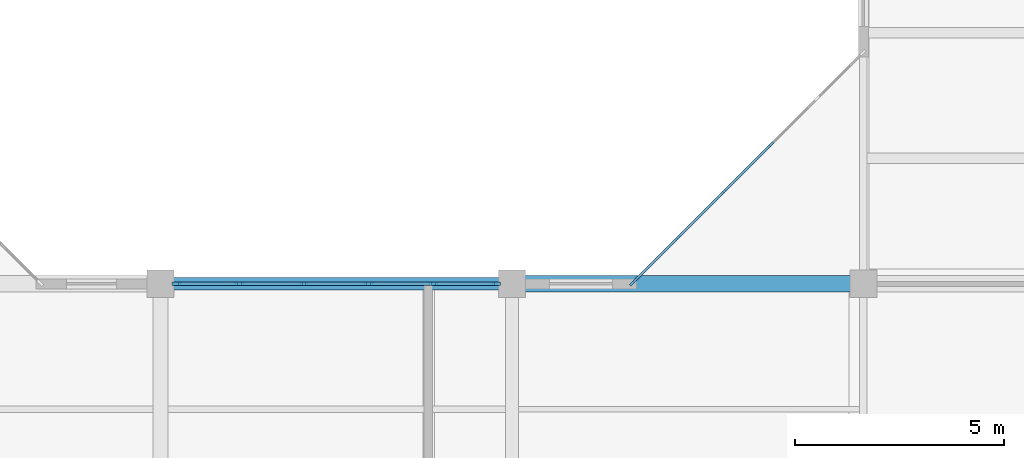
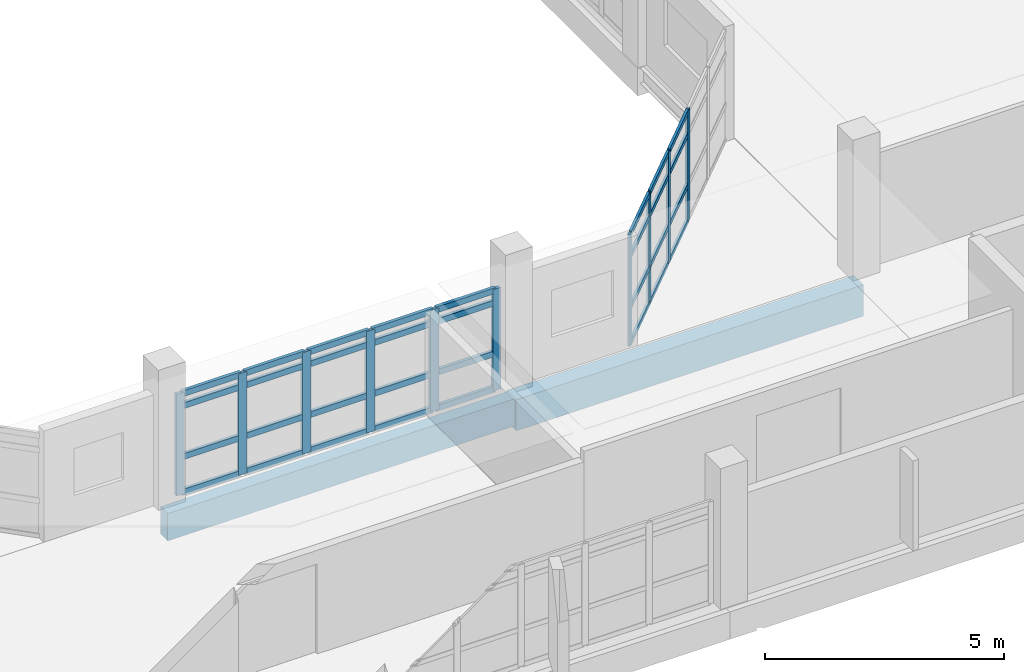
# One storey, part 13 of 104: 42 members, 2 beams, 2 elements without a shape of their own.
"""IFC4 building model written with IfcOpenShell, lengths in metres."""

from ifc_helpers import new_model, si_unit, direction, frame, origin, origin_2d, place, context, subcontext, project, spatial, rectangle, extrude, material, material_profile, profile_set, type_object, element, aggregate, save


model = new_model("IFC4")

# Units and contexts
model_context = context("Model", 3, precision=1e-05, world=origin(), true_north=direction((0.0, 1.0)))
body_context = subcontext(model_context, "Body", "Model", "MODEL_VIEW")
ifc_project = project(units=[si_unit("LENGTHUNIT", "METRE"), si_unit("AREAUNIT", "SQUARE_METRE"), si_unit("VOLUMEUNIT", "CUBIC_METRE"), si_unit("PLANEANGLEUNIT", "RADIAN"), si_unit("MASSUNIT", "GRAM", prefix="KILO")], contexts=[model_context])

# Site, building, storey
site_placement = place(None, origin())
site = spatial("IfcSite", under=ifc_project, at=site_placement, CompositionType="ELEMENT")
building_placement = place(site_placement, origin())
building = spatial("IfcBuilding", under=site, at=building_placement, Name="Vanh Quang Courtyard School", CompositionType="ELEMENT")
storey_placement = place(building_placement, frame((0.0, 0.0, 4.199951171875)))
storey = spatial("IfcBuildingStorey", under=building, at=storey_placement, Name="L01", CompositionType="ELEMENT", Elevation=4.199951171875)

# Beams
ifc_material_1 = material(Name="Concrete C35/45", Category="concrete")
ifc_material_profile_1 = material_profile(ifc_material_1, rectangle(XDim=0.39990234375, YDim=0.800048828125, at=origin_2d()), Name="RC-BM 400x800")
ifc_profile_set_1 = profile_set([ifc_material_profile_1], Name="Concrete C35/45")
beam_type_1 = type_object("IfcBeamType", Name="BM-RC-400x800", PredefinedType="BEAM", material=ifc_profile_set_1)
beam_1_placement = place(storey_placement, frame((57.60009765625, 41.39990234375, -0.679931640625), z_axis=(1.0, 0.0, 0.0), x_axis=(0.0, 1.0, 0.0)))
element("IfcBeam", 1, at=beam_1_placement, inside=storey, type_object=beam_type_1, Name="Beam B-02 (L01)", PredefinedType="BEAM", context=body_context, shape_type="SweptSolid", body=[
    extrude(rectangle(XDim=0.39990234375, YDim=0.800048828125, at=origin_2d()), origin(), (0.0, 0.0, 1.0), 8.39990234375),
])
ifc_material_profile_2 = material_profile(ifc_material_1, rectangle(XDim=0.300048828125, YDim=0.699951171875, at=origin_2d()), Name="RC-SP 300x700")
ifc_profile_set_2 = profile_set([ifc_material_profile_2], Name="Concrete C35/45")
beam_type_2 = type_object("IfcBeamType", Name="BM-SP-300x700", PredefinedType="SPANDREL", material=ifc_profile_set_2)
beam_2_placement = place(storey_placement, frame((49.199951171875, 41.39990234375, -0.6298828125), z_axis=(1.0, 0.0, 0.0), x_axis=(0.0, 1.0, 0.0)))
element("IfcBeam", 2, at=beam_2_placement, inside=storey, type_object=beam_type_2, Name="Beam BS-01 (L01)", PredefinedType="SPANDREL", context=body_context, shape_type="SweptSolid", body=[
    extrude(rectangle(XDim=0.300048828125, YDim=0.699951171875, at=origin_2d()), origin(), (0.0, 0.0, 1.0), 8.400146484375),
])

# Curtain wall, members
ifc_material_2 = material(Name="Thermally broken aluminium unitised curtain wall", Category="aluminium")
curtain_wall_type_1 = type_object("IfcCurtainWallType", Name="CW-SYS-40", PredefinedType="NOTDEFINED", material=ifc_material_2)
curtain_wall_1_placement = place(storey_placement, origin())
curtain_wall_1 = element("IfcCurtainWall", 3, at=curtain_wall_1_placement, inside=storey, type_object=curtain_wall_type_1, Name="Curtain Wall CW-40 (L01)", PredefinedType="NOTDEFINED")
ifc_material_3 = material(Name="Anodised aluminium 6063-T6", Category="aluminium")
ifc_material_profile_3 = material_profile(ifc_material_3, rectangle(XDim=0.06005859375, YDim=0.159912109375, at=origin_2d()), Name="ALU-MUL 60x160")
ifc_profile_set_3 = profile_set([ifc_material_profile_3], Name="Anodised aluminium 6063-T6")
member_type_1 = type_object("IfcMemberType", Name="CW-MUL-60x160", PredefinedType="MULLION", material=ifc_profile_set_3)
member_1_placement = place(storey_placement, frame((60.477294921875, 41.421142578125, 0.0), z_axis=(0.0, 0.0, 1.0), x_axis=(-0.707106781187, 0.707106781187, 0.0)))
member_1 = element("IfcMember", 4, at=member_1_placement, type_object=member_type_1, Name="CW-40 mullion 1", PredefinedType="MULLION", context=body_context, shape_type="SweptSolid", body=[
    extrude(rectangle(XDim=0.06005859375, YDim=0.159912109375, at=origin_2d()), origin(), (0.0, 0.0, 1.0), 2.85009765625),
])
member_2_placement = place(storey_placement, frame((61.564697265625, 42.5087890625, 0.0), z_axis=(0.0, 0.0, 1.0), x_axis=(-0.707106781187, 0.707106781187, 0.0)))
member_2 = element("IfcMember", 5, at=member_2_placement, type_object=member_type_1, Name="CW-40 mullion 2", PredefinedType="MULLION", context=body_context, shape_type="SweptSolid", body=[
    extrude(rectangle(XDim=0.06005859375, YDim=0.159912109375, at=origin_2d()), origin(), (0.0, 0.0, 1.0), 2.85009765625),
])
member_3_placement = place(storey_placement, frame((62.673583984375, 43.61767578125, 0.0), z_axis=(0.0, 0.0, 1.0), x_axis=(-0.707106781187, 0.707106781187, 0.0)))
member_3 = element("IfcMember", 6, at=member_3_placement, type_object=member_type_1, Name="CW-40 mullion 3", PredefinedType="MULLION", context=body_context, shape_type="SweptSolid", body=[
    extrude(rectangle(XDim=0.06005859375, YDim=0.159912109375, at=origin_2d()), origin(), (0.0, 0.0, 1.0), 2.85009765625),
])
member_4_placement = place(storey_placement, frame((63.782470703125, 44.726318359375, 0.0), z_axis=(0.0, 0.0, 1.0), x_axis=(-0.707106781187, 0.707106781187, 0.0)))
member_4 = element("IfcMember", 7, at=member_4_placement, type_object=member_type_1, Name="CW-40 mullion 4", PredefinedType="MULLION", context=body_context, shape_type="SweptSolid", body=[
    extrude(rectangle(XDim=0.06005859375, YDim=0.159912109375, at=origin_2d()), origin(), (0.0, 0.0, 1.0), 2.85009765625),
])

curtain_wall_type_2 = type_object("IfcCurtainWallType", Name="CW-SYS-21", PredefinedType="NOTDEFINED", material=ifc_material_2)
curtain_wall_2_placement = place(storey_placement, origin())
curtain_wall_2 = element("IfcCurtainWall", 8, at=curtain_wall_2_placement, inside=storey, type_object=curtain_wall_type_2, Name="Curtain Wall CW-21 (L01)", PredefinedType="NOTDEFINED")
ifc_material_profile_4 = material_profile(ifc_material_3, rectangle(XDim=0.080078125, YDim=0.199951171875, at=origin_2d()), Name="ALU-MUL 80x200")
ifc_profile_set_4 = profile_set([ifc_material_profile_4], Name="Anodised aluminium 6063-T6")
member_type_2 = type_object("IfcMemberType", Name="CW-MUL-80x200", PredefinedType="MULLION", material=ifc_profile_set_4)
member_5_placement = place(storey_placement, frame((49.572998046875, 41.39990234375, 0.0), z_axis=(0.0, 0.0, 1.0), x_axis=(0.0, 1.0, 0.0)))
member_5 = element("IfcMember", 9, at=member_5_placement, type_object=member_type_2, Name="CW-21 mullion 1", PredefinedType="MULLION", context=body_context, shape_type="SweptSolid", body=[
    extrude(rectangle(XDim=0.080078125, YDim=0.199951171875, at=origin_2d()), origin(), (0.0, 0.0, 1.0), 2.60009765625),
])
member_6_placement = place(storey_placement, frame((51.079833984375, 41.39990234375, 0.0), z_axis=(0.0, 0.0, 1.0), x_axis=(0.0, 1.0, 0.0)))
member_6 = element("IfcMember", 10, at=member_6_placement, type_object=member_type_2, Name="CW-21 mullion 2", PredefinedType="MULLION", context=body_context, shape_type="SweptSolid", body=[
    extrude(rectangle(XDim=0.080078125, YDim=0.199951171875, at=origin_2d()), origin(), (0.0, 0.0, 1.0), 2.60009765625),
])
member_7_placement = place(storey_placement, frame((52.626708984375, 41.39990234375, 0.0), z_axis=(0.0, 0.0, 1.0), x_axis=(0.0, 1.0, 0.0)))
member_7 = element("IfcMember", 11, at=member_7_placement, type_object=member_type_2, Name="CW-21 mullion 3", PredefinedType="MULLION", context=body_context, shape_type="SweptSolid", body=[
    extrude(rectangle(XDim=0.080078125, YDim=0.199951171875, at=origin_2d()), origin(), (0.0, 0.0, 1.0), 2.60009765625),
])
member_8_placement = place(storey_placement, frame((54.17333984375, 41.39990234375, 0.0), z_axis=(0.0, 0.0, 1.0), x_axis=(0.0, 1.0, 0.0)))
member_8 = element("IfcMember", 12, at=member_8_placement, type_object=member_type_2, Name="CW-21 mullion 4", PredefinedType="MULLION", context=body_context, shape_type="SweptSolid", body=[
    extrude(rectangle(XDim=0.080078125, YDim=0.199951171875, at=origin_2d()), origin(), (0.0, 0.0, 1.0), 2.60009765625),
])
member_9_placement = place(storey_placement, frame((55.72021484375, 41.39990234375, 0.0), z_axis=(0.0, 0.0, 1.0), x_axis=(0.0, 1.0, 0.0)))
member_9 = element("IfcMember", 13, at=member_9_placement, type_object=member_type_2, Name="CW-21 mullion 5", PredefinedType="MULLION", context=body_context, shape_type="SweptSolid", body=[
    extrude(rectangle(XDim=0.080078125, YDim=0.199951171875, at=origin_2d()), origin(), (0.0, 0.0, 1.0), 2.60009765625),
])
member_10_placement = place(storey_placement, frame((57.22705078125, 41.39990234375, 0.0), z_axis=(0.0, 0.0, 1.0), x_axis=(0.0, 1.0, 0.0)))
member_10 = element("IfcMember", 14, at=member_10_placement, type_object=member_type_2, Name="CW-21 mullion 6", PredefinedType="MULLION", context=body_context, shape_type="SweptSolid", body=[
    extrude(rectangle(XDim=0.080078125, YDim=0.199951171875, at=origin_2d()), origin(), (0.0, 0.0, 1.0), 2.60009765625),
])

# Member
ifc_material_profile_5 = material_profile(ifc_material_3, rectangle(XDim=0.06005859375, YDim=0.1201171875, at=origin_2d()), Name="ALU-TRN 60x120")
ifc_profile_set_5 = profile_set([ifc_material_profile_5], Name="Anodised aluminium 6063-T6")
member_type_3 = type_object("IfcMemberType", Name="CW-TRN-60x120", PredefinedType="USERDEFINED", material=ifc_profile_set_5)
member_11_placement = place(storey_placement, frame((60.49853515625, 41.4423828125, 0.030029296875), z_axis=(0.707106781187, 0.707106781187, 0.0), x_axis=(-0.707106781187, 0.707106781187, 0.0)))
member_11 = element("IfcMember", 15, at=member_11_placement, type_object=member_type_3, Name="CW-40 transom 1.1", ObjectType="TRANSOM", PredefinedType="USERDEFINED", context=body_context, shape_type="SweptSolid", body=[
    extrude(rectangle(XDim=0.06005859375, YDim=0.1201171875, at=origin_2d()), origin(), (0.0, 0.0, 1.0), 1.47802734375),
])

member_12_placement = place(storey_placement, frame((60.49853515625, 41.4423828125, 0.949951171875), z_axis=(0.707106781187, 0.707106781187, 0.0), x_axis=(-0.707106781187, 0.707106781187, 0.0)))
member_12 = element("IfcMember", 16, at=member_12_placement, type_object=member_type_3, Name="CW-40 transom 1.2", ObjectType="TRANSOM", PredefinedType="USERDEFINED", context=body_context, shape_type="SweptSolid", body=[
    extrude(rectangle(XDim=0.06005859375, YDim=0.1201171875, at=origin_2d()), origin(), (0.0, 0.0, 1.0), 1.47802734375),
])

member_13_placement = place(storey_placement, frame((60.49853515625, 41.4423828125, 2.25), z_axis=(0.707106781187, 0.707106781187, 0.0), x_axis=(-0.707106781187, 0.707106781187, 0.0)))
member_13 = element("IfcMember", 17, at=member_13_placement, type_object=member_type_3, Name="CW-40 transom 1.3", ObjectType="TRANSOM", PredefinedType="USERDEFINED", context=body_context, shape_type="SweptSolid", body=[
    extrude(rectangle(XDim=0.06005859375, YDim=0.1201171875, at=origin_2d()), origin(), (0.0, 0.0, 1.0), 1.47802734375),
])

member_14_placement = place(storey_placement, frame((60.49853515625, 41.4423828125, 2.820068359375), z_axis=(0.707106781187, 0.707106781187, 0.0), x_axis=(-0.707106781187, 0.707106781187, 0.0)))
member_14 = element("IfcMember", 18, at=member_14_placement, type_object=member_type_3, Name="CW-40 transom 1.4", ObjectType="TRANSOM", PredefinedType="USERDEFINED", context=body_context, shape_type="SweptSolid", body=[
    extrude(rectangle(XDim=0.06005859375, YDim=0.1201171875, at=origin_2d()), origin(), (0.0, 0.0, 1.0), 1.47802734375),
])

member_15_placement = place(storey_placement, frame((61.5859375, 42.530029296875, 0.030029296875), z_axis=(0.707106781187, 0.707106781187, 0.0), x_axis=(-0.707106781187, 0.707106781187, 0.0)))
member_15 = element("IfcMember", 19, at=member_15_placement, type_object=member_type_3, Name="CW-40 transom 2.1", ObjectType="TRANSOM", PredefinedType="USERDEFINED", context=body_context, shape_type="SweptSolid", body=[
    extrude(rectangle(XDim=0.06005859375, YDim=0.1201171875, at=origin_2d()), origin(), (0.0, 0.0, 1.0), 1.508056640625),
])

member_16_placement = place(storey_placement, frame((61.5859375, 42.530029296875, 0.949951171875), z_axis=(0.707106781187, 0.707106781187, 0.0), x_axis=(-0.707106781187, 0.707106781187, 0.0)))
member_16 = element("IfcMember", 20, at=member_16_placement, type_object=member_type_3, Name="CW-40 transom 2.2", ObjectType="TRANSOM", PredefinedType="USERDEFINED", context=body_context, shape_type="SweptSolid", body=[
    extrude(rectangle(XDim=0.06005859375, YDim=0.1201171875, at=origin_2d()), origin(), (0.0, 0.0, 1.0), 1.508056640625),
])

member_17_placement = place(storey_placement, frame((61.5859375, 42.530029296875, 2.25), z_axis=(0.707106781187, 0.707106781187, 0.0), x_axis=(-0.707106781187, 0.707106781187, 0.0)))
member_17 = element("IfcMember", 21, at=member_17_placement, type_object=member_type_3, Name="CW-40 transom 2.3", ObjectType="TRANSOM", PredefinedType="USERDEFINED", context=body_context, shape_type="SweptSolid", body=[
    extrude(rectangle(XDim=0.06005859375, YDim=0.1201171875, at=origin_2d()), origin(), (0.0, 0.0, 1.0), 1.508056640625),
])

member_18_placement = place(storey_placement, frame((61.5859375, 42.530029296875, 2.820068359375), z_axis=(0.707106781187, 0.707106781187, 0.0), x_axis=(-0.707106781187, 0.707106781187, 0.0)))
member_18 = element("IfcMember", 22, at=member_18_placement, type_object=member_type_3, Name="CW-40 transom 2.4", ObjectType="TRANSOM", PredefinedType="USERDEFINED", context=body_context, shape_type="SweptSolid", body=[
    extrude(rectangle(XDim=0.06005859375, YDim=0.1201171875, at=origin_2d()), origin(), (0.0, 0.0, 1.0), 1.508056640625),
])

member_19_placement = place(storey_placement, frame((62.69482421875, 43.638916015625, 0.030029296875), z_axis=(0.707187727529, 0.707025825577, 0.0), x_axis=(-0.707025825577, 0.707187727529, 0.0)))
member_19 = element("IfcMember", 23, at=member_19_placement, type_object=member_type_3, Name="CW-40 transom 3.1", ObjectType="TRANSOM", PredefinedType="USERDEFINED", context=body_context, shape_type="SweptSolid", body=[
    extrude(rectangle(XDim=0.06005859375, YDim=0.1201171875, at=origin_2d()), origin(), (0.0, 0.0, 1.0), 1.508056640625),
])

member_20_placement = place(storey_placement, frame((62.69482421875, 43.638916015625, 0.949951171875), z_axis=(0.707187727529, 0.707025825577, 0.0), x_axis=(-0.707025825577, 0.707187727529, 0.0)))
member_20 = element("IfcMember", 24, at=member_20_placement, type_object=member_type_3, Name="CW-40 transom 3.2", ObjectType="TRANSOM", PredefinedType="USERDEFINED", context=body_context, shape_type="SweptSolid", body=[
    extrude(rectangle(XDim=0.06005859375, YDim=0.1201171875, at=origin_2d()), origin(), (0.0, 0.0, 1.0), 1.508056640625),
])

member_21_placement = place(storey_placement, frame((62.69482421875, 43.638916015625, 2.25), z_axis=(0.707187727529, 0.707025825577, 0.0), x_axis=(-0.707025825577, 0.707187727529, 0.0)))
member_21 = element("IfcMember", 25, at=member_21_placement, type_object=member_type_3, Name="CW-40 transom 3.3", ObjectType="TRANSOM", PredefinedType="USERDEFINED", context=body_context, shape_type="SweptSolid", body=[
    extrude(rectangle(XDim=0.06005859375, YDim=0.1201171875, at=origin_2d()), origin(), (0.0, 0.0, 1.0), 1.508056640625),
])

member_22_placement = place(storey_placement, frame((62.69482421875, 43.638916015625, 2.820068359375), z_axis=(0.707187727529, 0.707025825577, 0.0), x_axis=(-0.707025825577, 0.707187727529, 0.0)))
member_22 = element("IfcMember", 26, at=member_22_placement, type_object=member_type_3, Name="CW-40 transom 3.4", ObjectType="TRANSOM", PredefinedType="USERDEFINED", context=body_context, shape_type="SweptSolid", body=[
    extrude(rectangle(XDim=0.06005859375, YDim=0.1201171875, at=origin_2d()), origin(), (0.0, 0.0, 1.0), 1.508056640625),
])

aggregate(curtain_wall_1, [member_1, member_2, member_3, member_4, member_11, member_12, member_13, member_14, member_15, member_16, member_17, member_18, member_19, member_20, member_21, member_22])

ifc_material_profile_6 = material_profile(ifc_material_3, rectangle(XDim=0.080078125, YDim=0.14990234375, at=origin_2d()), Name="ALU-TRN 80x150")
ifc_profile_set_6 = profile_set([ifc_material_profile_6], Name="Anodised aluminium 6063-T6")
member_type_4 = type_object("IfcMemberType", Name="CW-TRN-80x150", PredefinedType="USERDEFINED", material=ifc_profile_set_6)
member_23_placement = place(storey_placement, frame((49.613037109375, 41.39990234375, 0.0400390625), z_axis=(1.0, 0.0, 0.0), x_axis=(0.0, 1.0, 0.0)))
member_23 = element("IfcMember", 27, at=member_23_placement, type_object=member_type_4, Name="CW-21 transom 1.1", ObjectType="TRANSOM", PredefinedType="USERDEFINED", context=body_context, shape_type="SweptSolid", body=[
    extrude(rectangle(XDim=0.080078125, YDim=0.14990234375, at=origin_2d()), origin(), (0.0, 0.0, 1.0), 1.4267578125),
])

member_24_placement = place(storey_placement, frame((49.613037109375, 41.39990234375, 0.949951171875), z_axis=(1.0, 0.0, 0.0), x_axis=(0.0, 1.0, 0.0)))
member_24 = element("IfcMember", 28, at=member_24_placement, type_object=member_type_4, Name="CW-21 transom 1.2", ObjectType="TRANSOM", PredefinedType="USERDEFINED", context=body_context, shape_type="SweptSolid", body=[
    extrude(rectangle(XDim=0.080078125, YDim=0.14990234375, at=origin_2d()), origin(), (0.0, 0.0, 1.0), 1.4267578125),
])

member_25_placement = place(storey_placement, frame((49.613037109375, 41.39990234375, 2.25), z_axis=(1.0, 0.0, 0.0), x_axis=(0.0, 1.0, 0.0)))
member_25 = element("IfcMember", 29, at=member_25_placement, type_object=member_type_4, Name="CW-21 transom 1.3", ObjectType="TRANSOM", PredefinedType="USERDEFINED", context=body_context, shape_type="SweptSolid", body=[
    extrude(rectangle(XDim=0.080078125, YDim=0.14990234375, at=origin_2d()), origin(), (0.0, 0.0, 1.0), 1.4267578125),
])

member_26_placement = place(storey_placement, frame((49.613037109375, 41.39990234375, 2.56005859375), z_axis=(1.0, 0.0, 0.0), x_axis=(0.0, 1.0, 0.0)))
member_26 = element("IfcMember", 30, at=member_26_placement, type_object=member_type_4, Name="CW-21 transom 1.4", ObjectType="TRANSOM", PredefinedType="USERDEFINED", context=body_context, shape_type="SweptSolid", body=[
    extrude(rectangle(XDim=0.080078125, YDim=0.14990234375, at=origin_2d()), origin(), (0.0, 0.0, 1.0), 1.4267578125),
])

member_27_placement = place(storey_placement, frame((51.119873046875, 41.39990234375, 0.0400390625), z_axis=(1.0, 0.0, 0.0), x_axis=(0.0, 1.0, 0.0)))
member_27 = element("IfcMember", 31, at=member_27_placement, type_object=member_type_4, Name="CW-21 transom 2.1", ObjectType="TRANSOM", PredefinedType="USERDEFINED", context=body_context, shape_type="SweptSolid", body=[
    extrude(rectangle(XDim=0.080078125, YDim=0.14990234375, at=origin_2d()), origin(), (0.0, 0.0, 1.0), 1.466796875),
])

member_28_placement = place(storey_placement, frame((51.119873046875, 41.39990234375, 0.949951171875), z_axis=(1.0, 0.0, 0.0), x_axis=(0.0, 1.0, 0.0)))
member_28 = element("IfcMember", 32, at=member_28_placement, type_object=member_type_4, Name="CW-21 transom 2.2", ObjectType="TRANSOM", PredefinedType="USERDEFINED", context=body_context, shape_type="SweptSolid", body=[
    extrude(rectangle(XDim=0.080078125, YDim=0.14990234375, at=origin_2d()), origin(), (0.0, 0.0, 1.0), 1.466796875),
])

member_29_placement = place(storey_placement, frame((51.119873046875, 41.39990234375, 2.25), z_axis=(1.0, 0.0, 0.0), x_axis=(0.0, 1.0, 0.0)))
member_29 = element("IfcMember", 33, at=member_29_placement, type_object=member_type_4, Name="CW-21 transom 2.3", ObjectType="TRANSOM", PredefinedType="USERDEFINED", context=body_context, shape_type="SweptSolid", body=[
    extrude(rectangle(XDim=0.080078125, YDim=0.14990234375, at=origin_2d()), origin(), (0.0, 0.0, 1.0), 1.466796875),
])

member_30_placement = place(storey_placement, frame((51.119873046875, 41.39990234375, 2.56005859375), z_axis=(1.0, 0.0, 0.0), x_axis=(0.0, 1.0, 0.0)))
member_30 = element("IfcMember", 34, at=member_30_placement, type_object=member_type_4, Name="CW-21 transom 2.4", ObjectType="TRANSOM", PredefinedType="USERDEFINED", context=body_context, shape_type="SweptSolid", body=[
    extrude(rectangle(XDim=0.080078125, YDim=0.14990234375, at=origin_2d()), origin(), (0.0, 0.0, 1.0), 1.466796875),
])

member_31_placement = place(storey_placement, frame((52.66650390625, 41.39990234375, 0.0400390625), z_axis=(1.0, 0.0, 0.0), x_axis=(0.0, 1.0, 0.0)))
member_31 = element("IfcMember", 35, at=member_31_placement, type_object=member_type_4, Name="CW-21 transom 3.1", ObjectType="TRANSOM", PredefinedType="USERDEFINED", context=body_context, shape_type="SweptSolid", body=[
    extrude(rectangle(XDim=0.080078125, YDim=0.14990234375, at=origin_2d()), origin(), (0.0, 0.0, 1.0), 1.466796875),
])

member_32_placement = place(storey_placement, frame((52.66650390625, 41.39990234375, 0.949951171875), z_axis=(1.0, 0.0, 0.0), x_axis=(0.0, 1.0, 0.0)))
member_32 = element("IfcMember", 36, at=member_32_placement, type_object=member_type_4, Name="CW-21 transom 3.2", ObjectType="TRANSOM", PredefinedType="USERDEFINED", context=body_context, shape_type="SweptSolid", body=[
    extrude(rectangle(XDim=0.080078125, YDim=0.14990234375, at=origin_2d()), origin(), (0.0, 0.0, 1.0), 1.466796875),
])

member_33_placement = place(storey_placement, frame((52.66650390625, 41.39990234375, 2.25), z_axis=(1.0, 0.0, 0.0), x_axis=(0.0, 1.0, 0.0)))
member_33 = element("IfcMember", 37, at=member_33_placement, type_object=member_type_4, Name="CW-21 transom 3.3", ObjectType="TRANSOM", PredefinedType="USERDEFINED", context=body_context, shape_type="SweptSolid", body=[
    extrude(rectangle(XDim=0.080078125, YDim=0.14990234375, at=origin_2d()), origin(), (0.0, 0.0, 1.0), 1.466796875),
])

member_34_placement = place(storey_placement, frame((52.66650390625, 41.39990234375, 2.56005859375), z_axis=(1.0, 0.0, 0.0), x_axis=(0.0, 1.0, 0.0)))
member_34 = element("IfcMember", 38, at=member_34_placement, type_object=member_type_4, Name="CW-21 transom 3.4", ObjectType="TRANSOM", PredefinedType="USERDEFINED", context=body_context, shape_type="SweptSolid", body=[
    extrude(rectangle(XDim=0.080078125, YDim=0.14990234375, at=origin_2d()), origin(), (0.0, 0.0, 1.0), 1.466796875),
])

member_35_placement = place(storey_placement, frame((54.21337890625, 41.39990234375, 0.0400390625), z_axis=(1.0, 0.0, 0.0), x_axis=(0.0, 1.0, 0.0)))
member_35 = element("IfcMember", 39, at=member_35_placement, type_object=member_type_4, Name="CW-21 transom 4.1", ObjectType="TRANSOM", PredefinedType="USERDEFINED", context=body_context, shape_type="SweptSolid", body=[
    extrude(rectangle(XDim=0.080078125, YDim=0.14990234375, at=origin_2d()), origin(), (0.0, 0.0, 1.0), 1.466796875),
])

member_36_placement = place(storey_placement, frame((54.21337890625, 41.39990234375, 0.949951171875), z_axis=(1.0, 0.0, 0.0), x_axis=(0.0, 1.0, 0.0)))
member_36 = element("IfcMember", 40, at=member_36_placement, type_object=member_type_4, Name="CW-21 transom 4.2", ObjectType="TRANSOM", PredefinedType="USERDEFINED", context=body_context, shape_type="SweptSolid", body=[
    extrude(rectangle(XDim=0.080078125, YDim=0.14990234375, at=origin_2d()), origin(), (0.0, 0.0, 1.0), 1.466796875),
])

member_37_placement = place(storey_placement, frame((54.21337890625, 41.39990234375, 2.25), z_axis=(1.0, 0.0, 0.0), x_axis=(0.0, 1.0, 0.0)))
member_37 = element("IfcMember", 41, at=member_37_placement, type_object=member_type_4, Name="CW-21 transom 4.3", ObjectType="TRANSOM", PredefinedType="USERDEFINED", context=body_context, shape_type="SweptSolid", body=[
    extrude(rectangle(XDim=0.080078125, YDim=0.14990234375, at=origin_2d()), origin(), (0.0, 0.0, 1.0), 1.466796875),
])

member_38_placement = place(storey_placement, frame((54.21337890625, 41.39990234375, 2.56005859375), z_axis=(1.0, 0.0, 0.0), x_axis=(0.0, 1.0, 0.0)))
member_38 = element("IfcMember", 42, at=member_38_placement, type_object=member_type_4, Name="CW-21 transom 4.4", ObjectType="TRANSOM", PredefinedType="USERDEFINED", context=body_context, shape_type="SweptSolid", body=[
    extrude(rectangle(XDim=0.080078125, YDim=0.14990234375, at=origin_2d()), origin(), (0.0, 0.0, 1.0), 1.466796875),
])

member_39_placement = place(storey_placement, frame((55.76025390625, 41.39990234375, 0.0400390625), z_axis=(1.0, 0.0, 0.0), x_axis=(0.0, 1.0, 0.0)))
member_39 = element("IfcMember", 43, at=member_39_placement, type_object=member_type_4, Name="CW-21 transom 5.1", ObjectType="TRANSOM", PredefinedType="USERDEFINED", context=body_context, shape_type="SweptSolid", body=[
    extrude(rectangle(XDim=0.080078125, YDim=0.14990234375, at=origin_2d()), origin(), (0.0, 0.0, 1.0), 1.4267578125),
])

member_40_placement = place(storey_placement, frame((55.76025390625, 41.39990234375, 0.949951171875), z_axis=(1.0, 0.0, 0.0), x_axis=(0.0, 1.0, 0.0)))
member_40 = element("IfcMember", 44, at=member_40_placement, type_object=member_type_4, Name="CW-21 transom 5.2", ObjectType="TRANSOM", PredefinedType="USERDEFINED", context=body_context, shape_type="SweptSolid", body=[
    extrude(rectangle(XDim=0.080078125, YDim=0.14990234375, at=origin_2d()), origin(), (0.0, 0.0, 1.0), 1.4267578125),
])

member_41_placement = place(storey_placement, frame((55.76025390625, 41.39990234375, 2.25), z_axis=(1.0, 0.0, 0.0), x_axis=(0.0, 1.0, 0.0)))
member_41 = element("IfcMember", 45, at=member_41_placement, type_object=member_type_4, Name="CW-21 transom 5.3", ObjectType="TRANSOM", PredefinedType="USERDEFINED", context=body_context, shape_type="SweptSolid", body=[
    extrude(rectangle(XDim=0.080078125, YDim=0.14990234375, at=origin_2d()), origin(), (0.0, 0.0, 1.0), 1.4267578125),
])

member_42_placement = place(storey_placement, frame((55.76025390625, 41.39990234375, 2.56005859375), z_axis=(1.0, 0.0, 0.0), x_axis=(0.0, 1.0, 0.0)))
member_42 = element("IfcMember", 46, at=member_42_placement, type_object=member_type_4, Name="CW-21 transom 5.4", ObjectType="TRANSOM", PredefinedType="USERDEFINED", context=body_context, shape_type="SweptSolid", body=[
    extrude(rectangle(XDim=0.080078125, YDim=0.14990234375, at=origin_2d()), origin(), (0.0, 0.0, 1.0), 1.4267578125),
])

aggregate(curtain_wall_2, [member_5, member_6, member_7, member_8, member_9, member_10, member_23, member_24, member_25, member_26, member_27, member_28, member_29, member_30, member_31, member_32, member_33, member_34, member_35, member_36, member_37, member_38, member_39, member_40, member_41, member_42])

save(model, "model.ifc")
